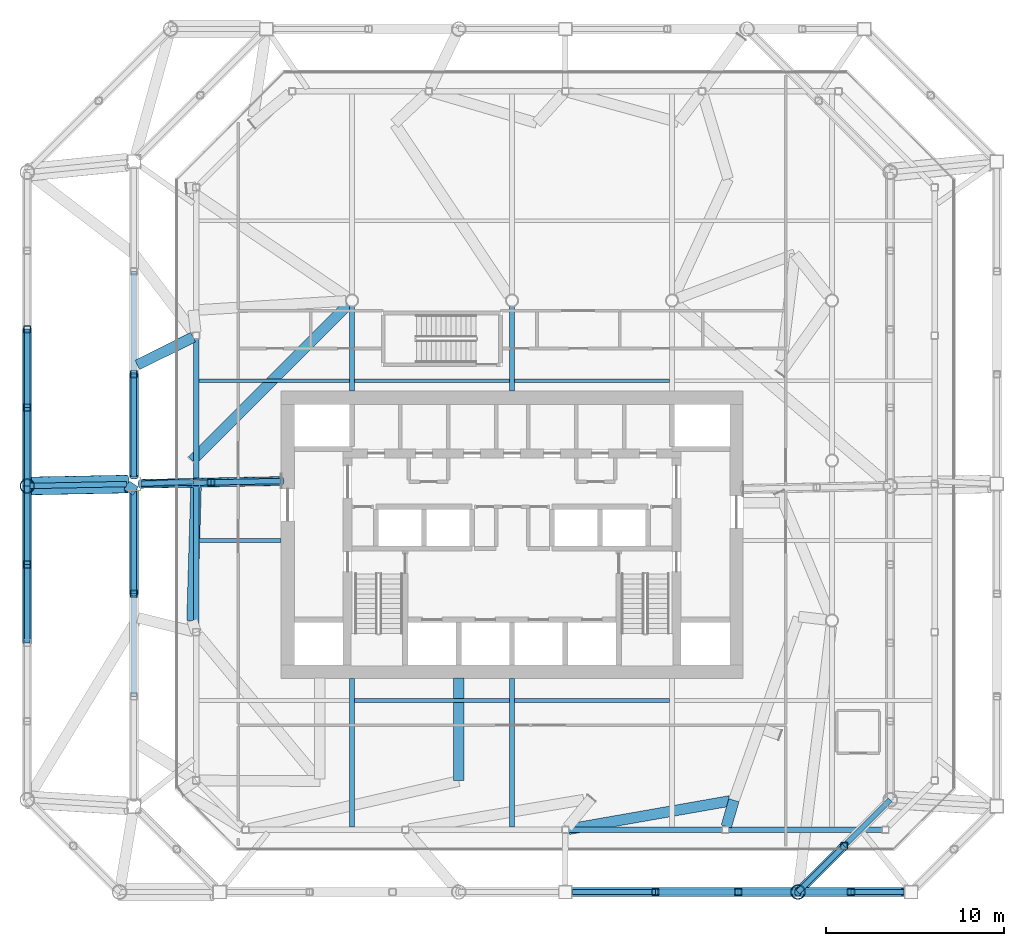
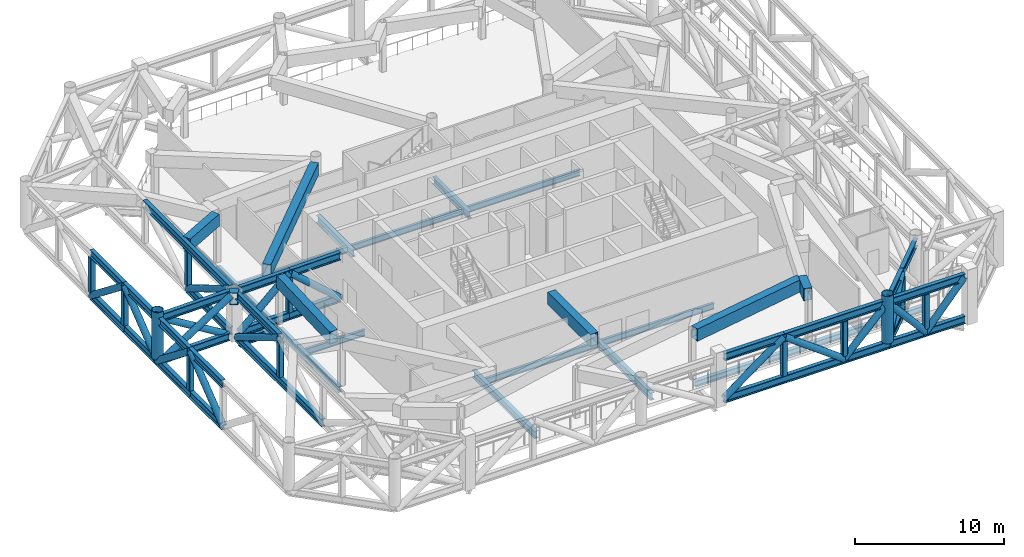
# One storey, part 4 of 21: 49 beams, 28 members.
"""IFC4 building model written with IfcOpenShell, lengths in metres."""

from ifc_helpers import new_model, si_unit, direction, frame, origin, origin_2d, place, context, subcontext, project, spatial, hollow_rectangle, hollow_circle, i_section, extrude, material, material_profile, profile_set, type_object, element, save


model = new_model("IFC4")

# Units and contexts
model_context = context("Model", 3, precision=1e-05, world=origin(), true_north=direction((0.0, 1.0)))
body_context = subcontext(model_context, "Body", "Model", "MODEL_VIEW")
ifc_project = project(units=[si_unit("LENGTHUNIT", "METRE"), si_unit("AREAUNIT", "SQUARE_METRE"), si_unit("VOLUMEUNIT", "CUBIC_METRE"), si_unit("PLANEANGLEUNIT", "RADIAN"), si_unit("MASSUNIT", "GRAM", prefix="KILO")], contexts=[model_context])

# Site, building, storey
site_placement = place(None, origin())
site = spatial("IfcSite", under=ifc_project, at=site_placement, CompositionType="ELEMENT")
building_placement = place(site_placement, origin())
building = spatial("IfcBuilding", under=site, at=building_placement, Name="Tskaro Facet Tower", CompositionType="ELEMENT")
storey_placement = place(building_placement, frame((0.0, 0.0, 167.699951171875)))
storey = spatial("IfcBuildingStorey", under=building, at=storey_placement, Name="L41", CompositionType="ELEMENT", Elevation=167.699951171875)

# Beams
ifc_material_1 = material(Name="Steel S355J2", Category="steel")
ifc_material_profile_1 = material_profile(ifc_material_1, hollow_rectangle(XDim=0.60009765625, YDim=1.0, WallThickness=0.0400390625, at=origin_2d()), Name="BOX 600x1000x40")
ifc_profile_set_1 = profile_set([ifc_material_profile_1], Name="Steel S355J2")
beam_type_1 = type_object("IfcBeamType", Name="BOX 600x1000x40 transfer girder", PredefinedType="BEAM", material=ifc_profile_set_1)
beam_1_placement = place(storey_placement, frame((-21.5830078125, -1.79296875, 3.580078125), z_axis=(0.541322923281, 0.840814779087, 0.0), x_axis=(-0.840814779087, 0.541322923281, 0.0)))
element("IfcBeam", 1, at=beam_1_placement, inside=storey, type_object=beam_type_1, Name="BOX 600x1000x40 TG4-3", PredefinedType="BEAM", context=body_context, shape_type="SweptSolid", body=[
    extrude(hollow_rectangle(XDim=0.60009765625, YDim=1.0, WallThickness=0.0400390625, at=origin_2d()), origin(), (0.0, 0.0, 1.0), 0.5673828125),
])
beam_2_placement = place(storey_placement, frame((-18.0, -9.0, 3.580078125), z_axis=(0.029400965194, 0.99956769818, 0.0), x_axis=(-0.99956769818, 0.029400965194, 0.0)))
element("IfcBeam", 2, at=beam_2_placement, inside=storey, type_object=beam_type_1, Name="BOX 600x1000x40 TG4-5", PredefinedType="BEAM", context=body_context, shape_type="SweptSolid", body=[
    extrude(hollow_rectangle(XDim=0.60009765625, YDim=1.0, WallThickness=0.0400390625, at=origin_2d()), origin(), (0.0, 0.0, 1.0), 7.498291015625),
])
beam_3_placement = place(storey_placement, frame((-18.0, 0.0, 3.580078125), z_axis=(0.707106781187, 0.707106781187, 0.0), x_axis=(-0.707106781187, 0.707106781187, 0.0)))
element("IfcBeam", 3, at=beam_3_placement, inside=storey, type_object=beam_type_1, Name="BOX 600x1000x40 TG4-8", PredefinedType="BEAM", context=body_context, shape_type="SweptSolid", body=[
    extrude(hollow_rectangle(XDim=0.60009765625, YDim=1.0, WallThickness=0.0400390625, at=origin_2d()), origin(), (0.0, 0.0, 1.0), 12.38232421875),
])
beam_4_placement = place(storey_placement, frame((12.480224609375, -19.111328125, 3.580078125), z_axis=(-0.277461650227, -0.960736713493, 0.0), x_axis=(0.960736713493, -0.277461650227, 0.0)))
element("IfcBeam", 4, at=beam_4_placement, inside=storey, type_object=beam_type_1, Name="BOX 600x1000x40 TG4-11", PredefinedType="BEAM", context=body_context, shape_type="SweptSolid", body=[
    extrude(hollow_rectangle(XDim=0.60009765625, YDim=1.0, WallThickness=0.0400390625, at=origin_2d()), origin(), (0.0, 0.0, 1.0), 1.540771484375),
])
beam_5_placement = place(storey_placement, frame((12.243896484375, -19.15283203125, 3.580078125), z_axis=(-0.984966378577, -0.172746152119, 0.0), x_axis=(0.172746152119, -0.984966378577, 0.0)))
element("IfcBeam", 5, at=beam_5_placement, inside=storey, type_object=beam_type_1, Name="BOX 600x1000x40 TG4-12", PredefinedType="BEAM", context=body_context, shape_type="SweptSolid", body=[
    extrude(hollow_rectangle(XDim=0.60009765625, YDim=1.0, WallThickness=0.0400390625, at=origin_2d()), origin(), (0.0, 0.0, 1.0), 9.19482421875),
])
beam_6_placement = place(storey_placement, frame((-3.0, -17.992919921875, 3.580078125), z_axis=(0.0, 1.0, 0.0), x_axis=(-1.0, 0.0, 0.0)))
element("IfcBeam", 6, at=beam_6_placement, inside=storey, type_object=beam_type_1, Name="BOX 600x1000x40 TG4-29", PredefinedType="BEAM", context=body_context, shape_type="SweptSolid", body=[
    extrude(hollow_rectangle(XDim=0.60009765625, YDim=1.0, WallThickness=0.0400390625, at=origin_2d()), origin(), (0.0, 0.0, 1.0), 5.7529296875),
])
beam_7_placement = place(storey_placement, frame((-21.0908203125, 5.37158203125, 3.580078125), z_axis=(0.894857230152, 0.446352481391, 0.0), x_axis=(-0.446352481391, 0.894857230152, 0.0)))
element("IfcBeam", 7, at=beam_7_placement, inside=storey, type_object=beam_type_1, Name="BOX 600x1000x40 TG4-35", PredefinedType="BEAM", context=body_context, shape_type="SweptSolid", body=[
    extrude(hollow_rectangle(XDim=0.60009765625, YDim=1.0, WallThickness=0.0400390625, at=origin_2d()), origin(), (0.0, 0.0, 1.0), 3.516357421875),
])

# Members
ifc_material_2 = material(Name="Steel S355J2H", Category="steel")
ifc_material_profile_2 = material_profile(ifc_material_2, hollow_circle(Radius=0.25390625, WallThickness=0.02490234375, at=origin_2d()), Name="CHS 508x25")
ifc_profile_set_2 = profile_set([ifc_material_profile_2], Name="Steel S355J2H")
member_type_1 = type_object("IfcMemberType", Name="CHS 508x25 belt diagonal", PredefinedType="BRACE", material=ifc_profile_set_2)
for number, where, z_axis, x_axis, name in (
    (8, (3.39990234375, -24.27587890625, 0.31005859375), (0.803047397488, 0.0, 0.595915159556), (0.0, 1.0, 0.0), "CHS 508x25 BD3-021"),
    (9, (8.0625, -24.27587890625, 3.77001953125), (0.803047397488, 0.0, -0.595915159556), (0.0, 1.0, 0.0), "CHS 508x25 BD3-022"),
):
    element("IfcMember", number, at=place(storey_placement, frame(where, z_axis=z_axis, x_axis=x_axis)), inside=storey, type_object=member_type_1, Name=name, PredefinedType="BRACE", context=body_context, shape_type="SweptSolid", body=[
        extrude(hollow_circle(Radius=0.25390625, WallThickness=0.02490234375, at=origin_2d()), origin(), (0.0, 0.0, 1.0), 5.80615234375),
    ])
member_1_placement = place(storey_placement, frame((12.72509765625, -24.27587890625, 0.31005859375), z_axis=(0.69665321879, 0.0, 0.717408037835), x_axis=(0.0, 1.0, 0.0)))
element("IfcMember", 10, at=member_1_placement, inside=storey, type_object=member_type_1, Name="CHS 508x25 BD3-023", PredefinedType="BRACE", context=body_context, shape_type="SweptSolid", body=[
    extrude(hollow_circle(Radius=0.25390625, WallThickness=0.02490234375, at=origin_2d()), origin(), (0.0, 0.0, 1.0), 4.82275390625),
])
member_2_placement = place(storey_placement, frame((16.0849609375, -24.27587890625, 3.77001953125), z_axis=(0.652901559805, 0.0, -0.75744277223), x_axis=(0.0, 1.0, 0.0)))
element("IfcMember", 11, at=member_2_placement, inside=storey, type_object=member_type_1, Name="CHS 508x25 BD3-024", PredefinedType="BRACE", context=body_context, shape_type="SweptSolid", body=[
    extrude(hollow_circle(Radius=0.25390625, WallThickness=0.02490234375, at=origin_2d()), origin(), (0.0, 0.0, 1.0), 4.56787109375),
])
member_3_placement = place(storey_placement, frame((19.0673828125, -24.27587890625, 0.31005859375), z_axis=(0.652932221461, 0.0, 0.757416341372), x_axis=(0.0, 1.0, 0.0)))
element("IfcMember", 12, at=member_3_placement, inside=storey, type_object=member_type_1, Name="CHS 508x25 BD3-025", PredefinedType="BRACE", context=body_context, shape_type="SweptSolid", body=[
    extrude(hollow_circle(Radius=0.25390625, WallThickness=0.02490234375, at=origin_2d()), origin(), (0.0, 0.0, 1.0), 4.568115234375),
])
member_4_placement = place(storey_placement, frame((-21.27587890625, 4.8623046875, 0.31005859375), z_axis=(0.0, -0.857953163996, 0.5137279128), x_axis=(1.0, 0.0, 0.0)))
element("IfcMember", 13, at=member_4_placement, inside=storey, type_object=member_type_1, Name="CHS 508x25 BD3-103", PredefinedType="BRACE", context=body_context, shape_type="SweptSolid", body=[
    extrude(hollow_circle(Radius=0.25390625, WallThickness=0.02490234375, at=origin_2d()), origin(), (0.0, 0.0, 1.0), 6.735107421875),
])
member_5_placement = place(storey_placement, frame((-21.27587890625, -1.716064453125, 0.31005859375), z_axis=(0.0, -0.857934028538, 0.513759868691), x_axis=(1.0, 0.0, 0.0)))
element("IfcMember", 14, at=member_5_placement, inside=storey, type_object=member_type_1, Name="CHS 508x25 BD3-111", PredefinedType="BRACE", context=body_context, shape_type="SweptSolid", body=[
    extrude(hollow_circle(Radius=0.25390625, WallThickness=0.02490234375, at=origin_2d()), origin(), (0.0, 0.0, 1.0), 6.734619140625),
])
member_6_placement = place(storey_placement, frame((16.0849609375, -24.27587890625, 0.31005859375), z_axis=(0.51454130618, 0.51454130618, 0.685926008013), x_axis=(-0.707106781187, 0.707106781187, 0.0)))
element("IfcMember", 15, at=member_6_placement, inside=storey, type_object=member_type_1, Name="CHS 508x25 TB3-03-D1", PredefinedType="BRACE", context=body_context, shape_type="SweptSolid", body=[
    extrude(hollow_circle(Radius=0.25390625, WallThickness=0.02490234375, at=origin_2d()), origin(), (0.0, 0.0, 1.0), 5.044189453125),
])
for number, where, z_axis, x_axis, name in (
    (16, (-27.27587890625, 7.39111328125, 0.31005859375), (0.0, -0.786931348807, 0.61704055966), (1.0, 0.0, 0.0), "CHS 508x25 TB3-10-D3"),
    (17, (-27.27587890625, 2.978515625, 3.77001953125), (0.0, -0.786931348807, -0.61704055966), (1.0, 0.0, 0.0), "CHS 508x25 TB3-10-D4"),
    (18, (-27.27587890625, -1.43408203125, 0.31005859375), (0.0, -0.786931348807, 0.61704055966), (1.0, 0.0, 0.0), "CHS 508x25 TB3-11-D1"),
    (19, (-27.27587890625, -5.8466796875, 3.77001953125), (0.0, -0.78694792511, -0.617019418791), (1.0, 0.0, 0.0), "CHS 508x25 TB3-11-D2"),
):
    element("IfcMember", number, at=place(storey_placement, frame(where, z_axis=z_axis, x_axis=x_axis)), inside=storey, type_object=member_type_1, Name=name, PredefinedType="BRACE", context=body_context, shape_type="SweptSolid", body=[
        extrude(hollow_circle(Radius=0.25390625, WallThickness=0.02490234375, at=origin_2d()), origin(), (0.0, 0.0, 1.0), 5.607421875),
    ])
for number, where, z_axis, x_axis, name in (
    (20, (-13.0, -1.1533203125, 0.31005859375), (-0.751148817347, -0.014762193125, 0.659967826376), (0.019649026642, -0.99980693924, 0.0), "CHS 508x25 TL3-11A-D1"),
    (21, (-16.93798828125, -1.230712890625, 3.77001953125), (-0.751148817347, -0.014762193125, -0.659967826376), (0.019649026642, -0.99980693924, 0.0), "CHS 508x25 TL3-11A-D2"),
):
    element("IfcMember", number, at=place(storey_placement, frame(where, z_axis=z_axis, x_axis=x_axis)), inside=storey, type_object=member_type_1, Name=name, PredefinedType="BRACE", context=body_context, shape_type="SweptSolid", body=[
        extrude(hollow_circle(Radius=0.25390625, WallThickness=0.02490234375, at=origin_2d()), origin(), (0.0, 0.0, 1.0), 5.24267578125),
    ])
for number, where, z_axis, x_axis, name in (
    (22, (-21.680908203125, -1.06982421875, 0.31005859375), (-0.850605851025, -0.016724354295, 0.525537802804), (0.019657897417, -0.999806764865, 0.0), "CHS 508x25 TL3-11B-D1"),
    (23, (-21.6708984375, -1.577880859375, 3.77001953125), (-0.850605851025, -0.016724354295, -0.525537802804), (0.019657897417, -0.999806764865, 0.0), "CHS 508x25 TL3-11B-D2"),
):
    element("IfcMember", number, at=place(storey_placement, frame(where, z_axis=z_axis, x_axis=x_axis)), inside=storey, type_object=member_type_1, Name=name, PredefinedType="BRACE", context=body_context, shape_type="SweptSolid", body=[
        extrude(hollow_circle(Radius=0.25390625, WallThickness=0.02490234375, at=origin_2d()), origin(), (0.0, 0.0, 1.0), 6.583740234375),
    ])
ifc_material_profile_3 = material_profile(ifc_material_2, hollow_circle(Radius=0.406494140625, WallThickness=0.035888671875, at=origin_2d()), Name="CHS 812.8x36")
ifc_profile_set_3 = profile_set([ifc_material_profile_3], Name="Steel S355J2H")
member_type_2 = type_object("IfcMemberType", Name="CHS 812.8x36 transfer node post", PredefinedType="POST", material=ifc_profile_set_3)
for number, where, z_axis, x_axis, name in (
    (24, (16.0849609375, -24.27587890625, 0.6201171875), (0.0, 0.0, 1.0), (1.0, 0.0, 0.0), "CHS 812.8x36 TN3-03"),
    (25, (-27.27587890625, -1.43408203125, 0.6201171875), (0.0, 0.0, 1.0), (1.0, 0.0, 0.0), "CHS 812.8x36 TN3-11"),
):
    element("IfcMember", number, at=place(storey_placement, frame(where, z_axis=z_axis, x_axis=x_axis)), inside=storey, type_object=member_type_2, Name=name, PredefinedType="POST", context=body_context, shape_type="SweptSolid", body=[
        extrude(hollow_circle(Radius=0.406494140625, WallThickness=0.035888671875, at=origin_2d()), origin(), (0.0, 0.0, 1.0), 3.8798828125),
    ])

# Beams
ifc_material_profile_4 = material_profile(ifc_material_1, i_section(OverallWidth=0.300048828125, OverallDepth=0.5, WebThickness=0.014404296875, FlangeThickness=0.028076171875, FilletRadius=0.027099609375, at=origin_2d()), Name="HE 500 B")
ifc_profile_set_4 = profile_set([ifc_material_profile_4], Name="Steel S355J2")
beam_type_2 = type_object("IfcBeamType", Name="HE 500 B ring beam", PredefinedType="BEAM", material=ifc_profile_set_4)
beam_8_placement = place(storey_placement, frame((3.179931640625, -20.77392578125, -0.5), z_axis=(1.0, 0.0, 0.0), x_axis=(0.0, 1.0, 0.0)))
element("IfcBeam", 26, at=beam_8_placement, inside=storey, type_object=beam_type_2, Name="HE 500 B EB3-3", PredefinedType="BEAM", context=body_context, shape_type="SweptSolid", body=[
    extrude(i_section(OverallWidth=0.300048828125, OverallDepth=0.5, WebThickness=0.014404296875, FlangeThickness=0.028076171875, FilletRadius=0.027099609375, at=origin_2d()), origin(), (0.0, 0.0, 1.0), 8.64013671875),
])
beam_9_placement = place(storey_placement, frame((12.179931640625, -20.77392578125, -0.5), z_axis=(1.0, 0.0, 0.0), x_axis=(0.0, 1.0, 0.0)))
element("IfcBeam", 27, at=beam_9_placement, inside=storey, type_object=beam_type_2, Name="HE 500 B EB4-3", PredefinedType="BEAM", context=body_context, shape_type="SweptSolid", body=[
    extrude(i_section(OverallWidth=0.300048828125, OverallDepth=0.5, WebThickness=0.014404296875, FlangeThickness=0.028076171875, FilletRadius=0.027099609375, at=origin_2d()), origin(), (0.0, 0.0, 1.0), 8.63916015625),
])
beam_10_placement = place(storey_placement, frame((-17.77392578125, 6.845947265625, -0.5), z_axis=(0.0, -1.0, 0.0), x_axis=(1.0, 0.0, 0.0)))
element("IfcBeam", 28, at=beam_10_placement, inside=storey, type_object=beam_type_2, Name="HE 500 B EB17-3", PredefinedType="BEAM", context=body_context, shape_type="SweptSolid", body=[
    extrude(i_section(OverallWidth=0.300048828125, OverallDepth=0.5, WebThickness=0.014404296875, FlangeThickness=0.028076171875, FilletRadius=0.027099609375, at=origin_2d()), origin(), (0.0, 0.0, 1.0), 7.98095703125),
])
beam_11_placement = place(storey_placement, frame((-17.77392578125, -1.4951171875, -0.5), z_axis=(0.0, -1.0, 0.0), x_axis=(1.0, 0.0, 0.0)))
element("IfcBeam", 29, at=beam_11_placement, inside=storey, type_object=beam_type_2, Name="HE 500 B EB18-3", PredefinedType="BEAM", context=body_context, shape_type="SweptSolid", body=[
    extrude(i_section(OverallWidth=0.300048828125, OverallDepth=0.5, WebThickness=0.014404296875, FlangeThickness=0.028076171875, FilletRadius=0.027099609375, at=origin_2d()), origin(), (0.0, 0.0, 1.0), 7.98193359375),
])
ifc_material_profile_5 = material_profile(ifc_material_1, i_section(OverallWidth=0.300048828125, OverallDepth=0.590087890625, WebThickness=0.012939453125, FlangeThickness=0.02490234375, FilletRadius=0.027099609375, at=origin_2d()), Name="HE 600 A")
ifc_profile_set_5 = profile_set([ifc_material_profile_5], Name="Steel S355J2")
beam_type_3 = type_object("IfcBeamType", Name="HE 600 A girder", PredefinedType="BEAM", material=ifc_profile_set_5)
beam_12_placement = place(storey_placement, frame((-9.0, -20.6240234375, -0.544921875), z_axis=(0.0, 1.0, 0.0), x_axis=(-1.0, 0.0, 0.0)))
element("IfcBeam", 30, at=beam_12_placement, inside=storey, type_object=beam_type_3, Name="HE 600 A GB3-1-3", PredefinedType="BEAM", context=body_context, shape_type="SweptSolid", body=[
    extrude(i_section(OverallWidth=0.300048828125, OverallDepth=0.590087890625, WebThickness=0.012939453125, FlangeThickness=0.02490234375, FilletRadius=0.027099609375, at=origin_2d()), origin(), (0.0, 0.0, 1.0), 8.3740234375),
])
beam_13_placement = place(storey_placement, frame((-9.0, 3.89990234375, -0.544921875), z_axis=(0.0, 1.0, 0.0), x_axis=(-1.0, 0.0, 0.0)))
element("IfcBeam", 31, at=beam_13_placement, inside=storey, type_object=beam_type_3, Name="HE 600 A GB3-2-3", PredefinedType="BEAM", context=body_context, shape_type="SweptSolid", body=[
    extrude(i_section(OverallWidth=0.300048828125, OverallDepth=0.590087890625, WebThickness=0.012939453125, FlangeThickness=0.02490234375, FilletRadius=0.027099609375, at=origin_2d()), origin(), (0.0, 0.0, 1.0), 4.774658203125),
])
beam_14_placement = place(storey_placement, frame((0.0, -20.6240234375, -0.544921875), z_axis=(0.0, 1.0, 0.0), x_axis=(-1.0, 0.0, 0.0)))
element("IfcBeam", 32, at=beam_14_placement, inside=storey, type_object=beam_type_3, Name="HE 600 A GB4-1-3", PredefinedType="BEAM", context=body_context, shape_type="SweptSolid", body=[
    extrude(i_section(OverallWidth=0.300048828125, OverallDepth=0.590087890625, WebThickness=0.012939453125, FlangeThickness=0.02490234375, FilletRadius=0.027099609375, at=origin_2d()), origin(), (0.0, 0.0, 1.0), 8.3740234375),
])
beam_15_placement = place(storey_placement, frame((0.0, 3.89990234375, -0.544921875), z_axis=(0.0, 1.0, 0.0), x_axis=(-1.0, 0.0, 0.0)))
element("IfcBeam", 33, at=beam_15_placement, inside=storey, type_object=beam_type_3, Name="HE 600 A GB4-2-3", PredefinedType="BEAM", context=body_context, shape_type="SweptSolid", body=[
    extrude(i_section(OverallWidth=0.300048828125, OverallDepth=0.590087890625, WebThickness=0.012939453125, FlangeThickness=0.02490234375, FilletRadius=0.027099609375, at=origin_2d()), origin(), (0.0, 0.0, 1.0), 4.774658203125),
])
ifc_material_profile_6 = material_profile(ifc_material_1, i_section(OverallWidth=0.300048828125, OverallDepth=0.60009765625, WebThickness=0.015380859375, FlangeThickness=0.030029296875, FilletRadius=0.027099609375, at=origin_2d()), Name="HE 600 B")
ifc_profile_set_6 = profile_set([ifc_material_profile_6], Name="Steel S355J2")
beam_type_4 = type_object("IfcBeamType", Name="HE 600 B floor strut", PredefinedType="BEAM", material=ifc_profile_set_6)
beam_16_placement = place(storey_placement, frame((-20.87646484375, -1.29833984375, -0.550048828125), z_axis=(0.999019173568, 0.044279688831, 0.0), x_axis=(-0.044279688831, 0.999019173568, 0.0)))
element("IfcBeam", 34, at=beam_16_placement, inside=storey, type_object=beam_type_4, Name="HE 600 B ES3-11", PredefinedType="BEAM", context=body_context, shape_type="SweptSolid", body=[
    extrude(i_section(OverallWidth=0.300048828125, OverallDepth=0.60009765625, WebThickness=0.015380859375, FlangeThickness=0.030029296875, FilletRadius=0.027099609375, at=origin_2d()), origin(), (0.0, 0.0, 1.0), 2.955322265625),
])
ifc_material_profile_7 = material_profile(ifc_material_1, i_section(OverallWidth=0.304931640625, OverallDepth=0.6201171875, WebThickness=0.02099609375, FlangeThickness=0.0400390625, FilletRadius=0.027099609375, at=origin_2d()), Name="HE 600 M")
ifc_profile_set_7 = profile_set([ifc_material_profile_7], Name="Steel S355J2")
beam_type_5 = type_object("IfcBeamType", Name="HE 600 M belt chord", PredefinedType="BEAM", material=ifc_profile_set_7)
beam_17_placement = place(storey_placement, frame((3.39990234375, -24.27587890625, 3.77001953125), z_axis=(1.0, 0.0, 0.0), x_axis=(0.0, 1.0, 0.0)))
element("IfcBeam", 35, at=beam_17_placement, inside=storey, type_object=beam_type_5, Name="HE 600 M BT3-02T1", PredefinedType="BEAM", context=body_context, shape_type="SweptSolid", body=[
    extrude(i_section(OverallWidth=0.304931640625, OverallDepth=0.6201171875, WebThickness=0.02099609375, FlangeThickness=0.0400390625, FilletRadius=0.027099609375, at=origin_2d()), origin(), (0.0, 0.0, 1.0), 4.66259765625),
])
beam_18_placement = place(storey_placement, frame((8.0625, -24.27587890625, 3.77001953125), z_axis=(1.0, 0.0, 0.0), x_axis=(0.0, 1.0, 0.0)))
element("IfcBeam", 36, at=beam_18_placement, inside=storey, type_object=beam_type_5, Name="HE 600 M BT3-02T2", PredefinedType="BEAM", context=body_context, shape_type="SweptSolid", body=[
    extrude(i_section(OverallWidth=0.304931640625, OverallDepth=0.6201171875, WebThickness=0.02099609375, FlangeThickness=0.0400390625, FilletRadius=0.027099609375, at=origin_2d()), origin(), (0.0, 0.0, 1.0), 8.0224609375),
])
beam_19_placement = place(storey_placement, frame((16.0849609375, -24.27587890625, 3.77001953125), z_axis=(1.0, 0.0, 0.0), x_axis=(0.0, 1.0, 0.0)))
element("IfcBeam", 37, at=beam_19_placement, inside=storey, type_object=beam_type_5, Name="HE 600 M BT3-02T3", PredefinedType="BEAM", context=body_context, shape_type="SweptSolid", body=[
    extrude(i_section(OverallWidth=0.304931640625, OverallDepth=0.6201171875, WebThickness=0.02099609375, FlangeThickness=0.0400390625, FilletRadius=0.027099609375, at=origin_2d()), origin(), (0.0, 0.0, 1.0), 5.965087890625),
])
beam_20_placement = place(storey_placement, frame((3.39990234375, -24.27587890625, 0.31005859375), z_axis=(1.0, 0.0, 0.0), x_axis=(0.0, 1.0, 0.0)))
element("IfcBeam", 38, at=beam_20_placement, inside=storey, type_object=beam_type_5, Name="HE 600 M BT3-02B1", PredefinedType="BEAM", context=body_context, shape_type="SweptSolid", body=[
    extrude(i_section(OverallWidth=0.304931640625, OverallDepth=0.6201171875, WebThickness=0.02099609375, FlangeThickness=0.0400390625, FilletRadius=0.027099609375, at=origin_2d()), origin(), (0.0, 0.0, 1.0), 9.3251953125),
])
beam_21_placement = place(storey_placement, frame((12.72509765625, -24.27587890625, 0.31005859375), z_axis=(1.0, 0.0, 0.0), x_axis=(0.0, 1.0, 0.0)))
element("IfcBeam", 39, at=beam_21_placement, inside=storey, type_object=beam_type_5, Name="HE 600 M BT3-02B2", PredefinedType="BEAM", context=body_context, shape_type="SweptSolid", body=[
    extrude(i_section(OverallWidth=0.304931640625, OverallDepth=0.6201171875, WebThickness=0.02099609375, FlangeThickness=0.0400390625, FilletRadius=0.027099609375, at=origin_2d()), origin(), (0.0, 0.0, 1.0), 6.34228515625),
])
beam_22_placement = place(storey_placement, frame((19.0673828125, -24.27587890625, 0.31005859375), z_axis=(1.0, 0.0, 0.0), x_axis=(0.0, 1.0, 0.0)))
element("IfcBeam", 40, at=beam_22_placement, inside=storey, type_object=beam_type_5, Name="HE 600 M BT3-02B3", PredefinedType="BEAM", context=body_context, shape_type="SweptSolid", body=[
    extrude(i_section(OverallWidth=0.304931640625, OverallDepth=0.6201171875, WebThickness=0.02099609375, FlangeThickness=0.0400390625, FilletRadius=0.027099609375, at=origin_2d()), origin(), (0.0, 0.0, 1.0), 2.982666015625),
])
beam_23_placement = place(storey_placement, frame((-21.27587890625, 10.640625, 3.77001953125), z_axis=(0.0, -1.0, 0.0), x_axis=(1.0, 0.0, 0.0)))
element("IfcBeam", 41, at=beam_23_placement, inside=storey, type_object=beam_type_5, Name="HE 600 M BT3-10T2", PredefinedType="BEAM", context=body_context, shape_type="SweptSolid", body=[
    extrude(i_section(OverallWidth=0.304931640625, OverallDepth=0.6201171875, WebThickness=0.02099609375, FlangeThickness=0.0400390625, FilletRadius=0.027099609375, at=origin_2d()), origin(), (0.0, 0.0, 1.0), 11.556640625),
])
beam_24_placement = place(storey_placement, frame((-21.27587890625, 4.8623046875, 0.31005859375), z_axis=(0.0, -1.0, 0.0), x_axis=(1.0, 0.0, 0.0)))
element("IfcBeam", 42, at=beam_24_placement, inside=storey, type_object=beam_type_5, Name="HE 600 M BT3-10B2", PredefinedType="BEAM", context=body_context, shape_type="SweptSolid", body=[
    extrude(i_section(OverallWidth=0.304931640625, OverallDepth=0.6201171875, WebThickness=0.02099609375, FlangeThickness=0.0400390625, FilletRadius=0.027099609375, at=origin_2d()), origin(), (0.0, 0.0, 1.0), 5.7783203125),
])
beam_25_placement = place(storey_placement, frame((-21.27587890625, -1.716064453125, 3.77001953125), z_axis=(0.0, -1.0, 0.0), x_axis=(1.0, 0.0, 0.0)))
element("IfcBeam", 43, at=beam_25_placement, inside=storey, type_object=beam_type_5, Name="HE 600 M BT3-11T1", PredefinedType="BEAM", context=body_context, shape_type="SweptSolid", body=[
    extrude(i_section(OverallWidth=0.304931640625, OverallDepth=0.6201171875, WebThickness=0.02099609375, FlangeThickness=0.0400390625, FilletRadius=0.027099609375, at=origin_2d()), origin(), (0.0, 0.0, 1.0), 5.77783203125),
])
beam_26_placement = place(storey_placement, frame((-21.27587890625, -1.716064453125, 0.31005859375), z_axis=(0.0, -1.0, 0.0), x_axis=(1.0, 0.0, 0.0)))
element("IfcBeam", 44, at=beam_26_placement, inside=storey, type_object=beam_type_5, Name="HE 600 M BT3-11B1", PredefinedType="BEAM", context=body_context, shape_type="SweptSolid", body=[
    extrude(i_section(OverallWidth=0.304931640625, OverallDepth=0.6201171875, WebThickness=0.02099609375, FlangeThickness=0.0400390625, FilletRadius=0.027099609375, at=origin_2d()), origin(), (0.0, 0.0, 1.0), 11.555908203125),
])
for number, where, z_axis, x_axis, name in (
    (45, (16.0849609375, -24.27587890625, 3.77001953125), (0.707106781187, 0.707106781187, 0.0), (-0.707106781187, 0.707106781187, 0.0), "HE 600 M TB3-03-T1"),
    (46, (16.0849609375, -24.27587890625, 0.31005859375), (0.707106781187, 0.707106781187, 0.0), (-0.707106781187, 0.707106781187, 0.0), "HE 600 M TB3-03-B1"),
    (47, (18.680419921875, -21.680419921875, 3.77001953125), (0.707106781187, 0.707106781187, 0.0), (-0.707106781187, 0.707106781187, 0.0), "HE 600 M TB3-03-T2"),
):
    element("IfcBeam", number, at=place(storey_placement, frame(where, z_axis=z_axis, x_axis=x_axis)), inside=storey, type_object=beam_type_5, Name=name, PredefinedType="BEAM", context=body_context, shape_type="SweptSolid", body=[
        extrude(i_section(OverallWidth=0.304931640625, OverallDepth=0.6201171875, WebThickness=0.02099609375, FlangeThickness=0.0400390625, FilletRadius=0.027099609375, at=origin_2d()), origin(), (0.0, 0.0, 1.0), 3.670654296875),
    ])
for number, where, z_axis, x_axis, name in (
    (48, (-27.27587890625, 7.39111328125, 3.77001953125), (0.0, -1.0, 0.0), (1.0, 0.0, 0.0), "HE 600 M TB3-10-T3"),
    (49, (-27.27587890625, 7.39111328125, 0.31005859375), (0.0, -1.0, 0.0), (1.0, 0.0, 0.0), "HE 600 M TB3-10-B3"),
    (50, (-27.27587890625, 2.978515625, 3.77001953125), (0.0, -1.0, 0.0), (1.0, 0.0, 0.0), "HE 600 M TB3-10-T4"),
    (51, (-27.27587890625, 2.978515625, 0.31005859375), (0.0, -1.0, 0.0), (1.0, 0.0, 0.0), "HE 600 M TB3-10-B4"),
    (52, (-27.27587890625, -1.43408203125, 3.77001953125), (0.0, -1.0, 0.0), (1.0, 0.0, 0.0), "HE 600 M TB3-11-T1"),
    (53, (-27.27587890625, -1.43408203125, 0.31005859375), (0.0, -1.0, 0.0), (1.0, 0.0, 0.0), "HE 600 M TB3-11-B1"),
):
    element("IfcBeam", number, at=place(storey_placement, frame(where, z_axis=z_axis, x_axis=x_axis)), inside=storey, type_object=beam_type_5, Name=name, PredefinedType="BEAM", context=body_context, shape_type="SweptSolid", body=[
        extrude(i_section(OverallWidth=0.304931640625, OverallDepth=0.6201171875, WebThickness=0.02099609375, FlangeThickness=0.0400390625, FilletRadius=0.027099609375, at=origin_2d()), origin(), (0.0, 0.0, 1.0), 4.41259765625),
    ])
for number, where, z_axis, x_axis, name in (
    (54, (-27.27587890625, -5.8466796875, 3.77001953125), (0.0, -1.0, 0.0), (1.0, 0.0, 0.0), "HE 600 M TB3-11-T2"),
    (55, (-27.27587890625, -5.8466796875, 0.31005859375), (0.0, -1.0, 0.0), (1.0, 0.0, 0.0), "HE 600 M TB3-11-B2"),
):
    element("IfcBeam", number, at=place(storey_placement, frame(where, z_axis=z_axis, x_axis=x_axis)), inside=storey, type_object=beam_type_5, Name=name, PredefinedType="BEAM", context=body_context, shape_type="SweptSolid", body=[
        extrude(i_section(OverallWidth=0.304931640625, OverallDepth=0.6201171875, WebThickness=0.02099609375, FlangeThickness=0.0400390625, FilletRadius=0.027099609375, at=origin_2d()), origin(), (0.0, 0.0, 1.0), 4.412841796875),
    ])
for number, where, z_axis, x_axis, name in (
    (56, (-13.0, -1.1533203125, 3.77001953125), (-0.99980693924, -0.019649026642, 0.0), (0.019649026642, -0.99980693924, 0.0), "HE 600 M TL3-11A-T1"),
    (57, (-13.0, -1.1533203125, 0.31005859375), (-0.99980693924, -0.019649026642, 0.0), (0.019649026642, -0.99980693924, 0.0), "HE 600 M TL3-11A-B1"),
    (58, (-16.93798828125, -1.230712890625, 3.77001953125), (-0.99980693924, -0.019649026642, 0.0), (0.019649026642, -0.99980693924, 0.0), "HE 600 M TL3-11A-T2"),
    (59, (-16.93798828125, -1.230712890625, 0.31005859375), (-0.99980693924, -0.019649026642, 0.0), (0.019649026642, -0.99980693924, 0.0), "HE 600 M TL3-11A-B2"),
):
    element("IfcBeam", number, at=place(storey_placement, frame(where, z_axis=z_axis, x_axis=x_axis)), inside=storey, type_object=beam_type_5, Name=name, PredefinedType="BEAM", context=body_context, shape_type="SweptSolid", body=[
        extrude(i_section(OverallWidth=0.304931640625, OverallDepth=0.6201171875, WebThickness=0.02099609375, FlangeThickness=0.0400390625, FilletRadius=0.027099609375, at=origin_2d()), origin(), (0.0, 0.0, 1.0), 3.938720703125),
    ])
for number, where, z_axis, x_axis, name in (
    (60, (-21.676025390625, -1.323974609375, 3.77001953125), (-0.99980674802, -0.019658754125, 0.0), (0.019658754125, -0.99980674802, 0.0), "HE 600 M TL3-11B-T1"),
    (61, (-21.676025390625, -1.323974609375, 0.31005859375), (-0.99980674802, -0.019658754125, 0.0), (0.019658754125, -0.99980674802, 0.0), "HE 600 M TL3-11B-B1"),
):
    element("IfcBeam", number, at=place(storey_placement, frame(where, z_axis=z_axis, x_axis=x_axis)), inside=storey, type_object=beam_type_5, Name=name, PredefinedType="BEAM", context=body_context, shape_type="SweptSolid", body=[
        extrude(i_section(OverallWidth=0.304931640625, OverallDepth=0.6201171875, WebThickness=0.02099609375, FlangeThickness=0.0400390625, FilletRadius=0.027099609375, at=origin_2d()), origin(), (0.0, 0.0, 1.0), 5.600830078125),
    ])
ifc_material_profile_8 = material_profile(ifc_material_1, i_section(OverallWidth=0.199951171875, OverallDepth=0.5, WebThickness=0.01025390625, FlangeThickness=0.01611328125, FilletRadius=0.02099609375, at=origin_2d()), Name="IPE 500")
ifc_profile_set_8 = profile_set([ifc_material_profile_8], Name="Steel S355J2")
beam_type_6 = type_object("IfcBeamType", Name="IPE 500 secondary beam", PredefinedType="BEAM", material=ifc_profile_set_8)
for number, where, z_axis, x_axis, name in (
    (62, (-8.85009765625, -13.5, -0.5), (1.0, 0.0, 0.0), (0.0, 1.0, 0.0), "IPE 500 SB2a-2-3"),
    (63, (0.14990234375, -13.5, -0.5), (1.0, 0.0, 0.0), (0.0, 1.0, 0.0), "IPE 500 SB2a-3-3"),
):
    element("IfcBeam", number, at=place(storey_placement, frame(where, z_axis=z_axis, x_axis=x_axis)), inside=storey, type_object=beam_type_6, Name=name, PredefinedType="BEAM", context=body_context, shape_type="SweptSolid", body=[
        extrude(i_section(OverallWidth=0.199951171875, OverallDepth=0.5, WebThickness=0.01025390625, FlangeThickness=0.01611328125, FilletRadius=0.02099609375, at=origin_2d()), origin(), (0.0, 0.0, 1.0), 8.7001953125),
    ])
beam_27_placement = place(storey_placement, frame((-17.6240234375, -4.5, -0.5), z_axis=(1.0, 0.0, 0.0), x_axis=(0.0, 1.0, 0.0)))
element("IfcBeam", 64, at=beam_27_placement, inside=storey, type_object=beam_type_6, Name="IPE 500 SB3a-1-3", PredefinedType="BEAM", context=body_context, shape_type="SweptSolid", body=[
    extrude(i_section(OverallWidth=0.199951171875, OverallDepth=0.5, WebThickness=0.01025390625, FlangeThickness=0.01611328125, FilletRadius=0.02099609375, at=origin_2d()), origin(), (0.0, 0.0, 1.0), 4.6240234375),
])
beam_28_placement = place(storey_placement, frame((-17.6240234375, 4.5, -0.5), z_axis=(1.0, 0.0, 0.0), x_axis=(0.0, 1.0, 0.0)))
element("IfcBeam", 65, at=beam_28_placement, inside=storey, type_object=beam_type_6, Name="IPE 500 SB4a-1-3", PredefinedType="BEAM", context=body_context, shape_type="SweptSolid", body=[
    extrude(i_section(OverallWidth=0.199951171875, OverallDepth=0.5, WebThickness=0.01025390625, FlangeThickness=0.01611328125, FilletRadius=0.02099609375, at=origin_2d()), origin(), (0.0, 0.0, 1.0), 8.47412109375),
])
for number, where, z_axis, x_axis, name in (
    (66, (-8.85009765625, 4.5, -0.5), (1.0, 0.0, 0.0), (0.0, 1.0, 0.0), "IPE 500 SB4a-2-3"),
    (67, (0.14990234375, 4.5, -0.5), (1.0, 0.0, 0.0), (0.0, 1.0, 0.0), "IPE 500 SB4a-3-3"),
):
    element("IfcBeam", number, at=place(storey_placement, frame(where, z_axis=z_axis, x_axis=x_axis)), inside=storey, type_object=beam_type_6, Name=name, PredefinedType="BEAM", context=body_context, shape_type="SweptSolid", body=[
        extrude(i_section(OverallWidth=0.199951171875, OverallDepth=0.5, WebThickness=0.01025390625, FlangeThickness=0.01611328125, FilletRadius=0.02099609375, at=origin_2d()), origin(), (0.0, 0.0, 1.0), 8.7001953125),
    ])

# Members
ifc_material_profile_9 = material_profile(ifc_material_2, hollow_rectangle(XDim=0.39990234375, YDim=0.39990234375, WallThickness=0.02490234375, InnerFilletRadius=0.03759765625, OuterFilletRadius=0.0625, at=origin_2d()), Name="SHS 400x400x25")
ifc_profile_set_9 = profile_set([ifc_material_profile_9], Name="Steel S355J2H")
member_type_3 = type_object("IfcMemberType", Name="SHS 400x400x25 belt post", PredefinedType="POST", material=ifc_profile_set_9)
for number, where, z_axis, x_axis, name in (
    (68, (8.0625, -24.27587890625, 0.6201171875), (0.0, 0.0, 1.0), (1.0, 0.0, 0.0), "SHS 400x400x25 BP3-021"),
    (69, (12.72509765625, -24.27587890625, 0.6201171875), (0.0, 0.0, 1.0), (1.0, 0.0, 0.0), "SHS 400x400x25 BP3-022"),
    (70, (19.0673828125, -24.27587890625, 0.6201171875), (0.0, 0.0, 1.0), (1.0, 0.0, 0.0), "SHS 400x400x25 BP3-024"),
    (71, (-21.27587890625, 4.8623046875, 0.6201171875), (0.0, 0.0, 1.0), (1.0, 0.0, 0.0), "SHS 400x400x25 BP3-102"),
    (72, (-21.27587890625, -7.493896484375, 0.6201171875), (0.0, 0.0, 1.0), (1.0, 0.0, 0.0), "SHS 400x400x25 BP3-111"),
    (73, (18.680419921875, -21.680419921875, 0.6201171875), (0.0, 0.0, 1.0), (1.0, 0.0, 0.0), "SHS 400x400x25 TB3-03-P1"),
    (74, (-27.27587890625, 7.39111328125, 0.6201171875), (0.0, 0.0, 1.0), (1.0, 0.0, 0.0), "SHS 400x400x25 TB3-10-P2"),
    (75, (-27.27587890625, 2.978515625, 0.6201171875), (0.0, 0.0, 1.0), (1.0, 0.0, 0.0), "SHS 400x400x25 TB3-10-P3"),
    (76, (-27.27587890625, -5.8466796875, 0.6201171875), (0.0, 0.0, 1.0), (1.0, 0.0, 0.0), "SHS 400x400x25 TB3-11-P1"),
    (77, (-16.93798828125, -1.230712890625, 0.6201171875), (0.0, 0.0, 1.0), (1.0, 0.0, 0.0), "SHS 400x400x25 TL3-11A-P1"),
):
    element("IfcMember", number, at=place(storey_placement, frame(where, z_axis=z_axis, x_axis=x_axis)), inside=storey, type_object=member_type_3, Name=name, PredefinedType="POST", context=body_context, shape_type="SweptSolid", body=[
        extrude(hollow_rectangle(XDim=0.39990234375, YDim=0.39990234375, WallThickness=0.02490234375, InnerFilletRadius=0.03759765625, OuterFilletRadius=0.0625, at=origin_2d()), origin(), (0.0, 0.0, 1.0), 2.83984375),
    ])

save(model, "model.ifc")
